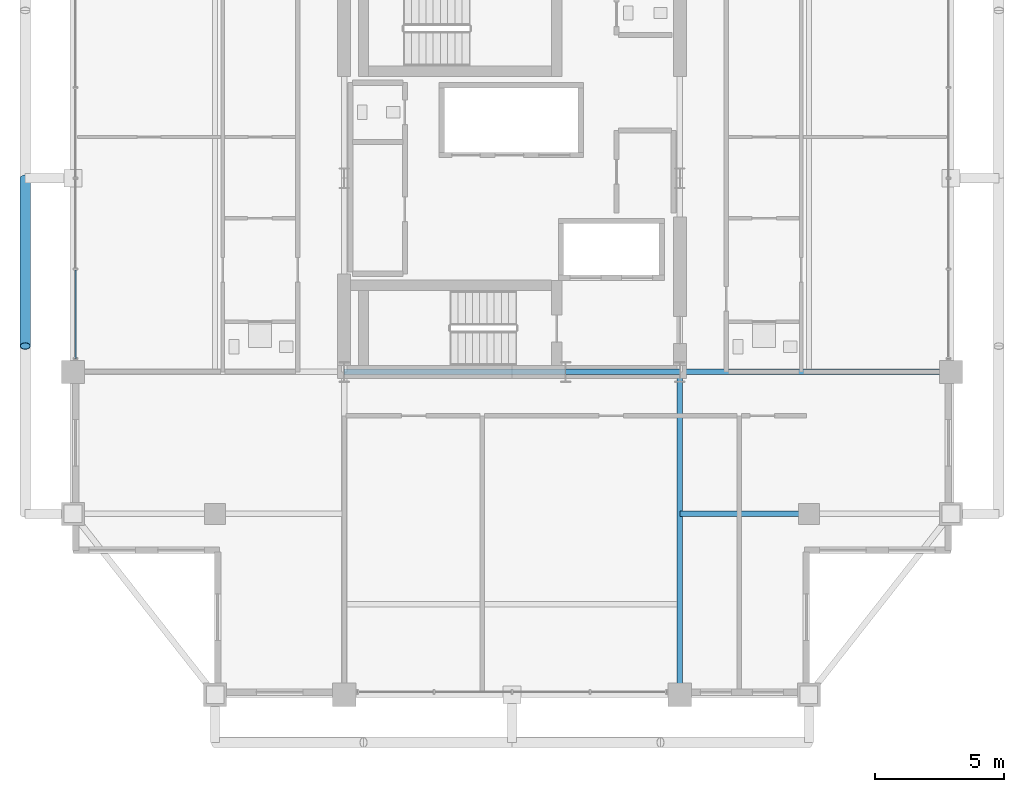
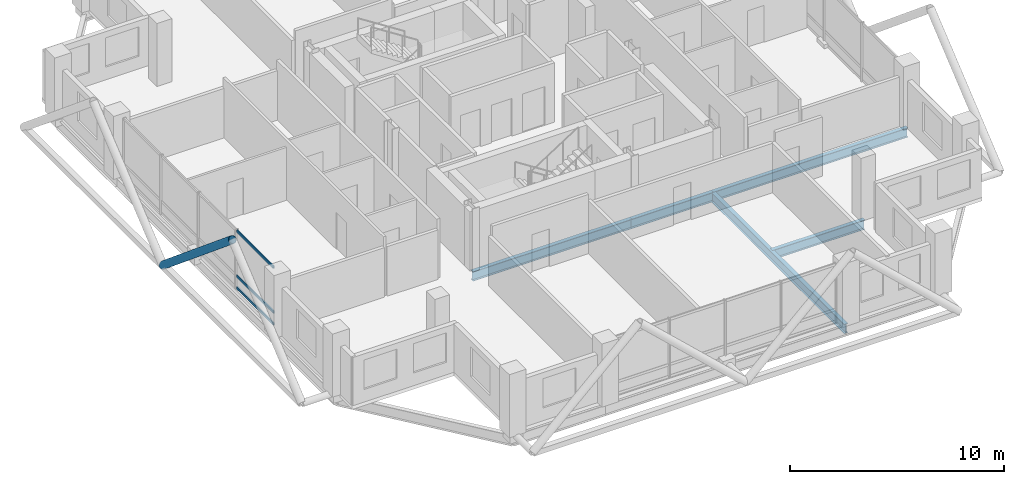
# One storey, part 7 of 24: 5 beams, 4 members, 1 element without a shape of its own.
"""IFC4 building model written with IfcOpenShell, lengths in metres."""

import ifcopenshell
import ifcopenshell.guid

model = None  # the IFC model being written
_history = None  # IfcOwnerHistory: only IFC2X3 demands one
_inside = {}  # id of a spatial element -> (the spatial element, [elements in it])
_under = {}  # id of a project, library or spatial element -> (it, [spatial elements below it])
_declared = {}  # id of a project -> (the project, [libraries it declares])
_typed = {}  # id of a type object -> (the type object, [elements of that type])
_made_of = {}  # id of a material, layer set ... -> (it, [elements and type objects made of it])


def new_model(schema):
    """Start an empty IFC model of exactly this schema.

    Asked for "IFC4X3", IfcOpenShell would pick the latest addendum, in which some entities
    have other attributes; the version numbers below select the first issue.
    IFC2X3 requires an IfcOwnerHistory on every rooted entity: one is made here for all.
    """
    global model, _history
    if schema == "IFC4X3":
        model = ifcopenshell.file(schema_version=(4, 3, 0, 0))
    else:
        model = ifcopenshell.file(schema=schema)
    _inside.clear()
    _under.clear()
    _declared.clear()
    _typed.clear()
    _made_of.clear()
    _history = None
    if model.schema == "IFC2X3":
        org = make("IfcOrganization", Name="unknown")
        user = make(
            "IfcPersonAndOrganization",
            ThePerson=make("IfcPerson", FamilyName="unknown"),
            TheOrganization=org,
        )
        app = make(
            "IfcApplication",
            ApplicationDeveloper=org,
            Version="unknown",
            ApplicationFullName="unknown",
            ApplicationIdentifier="unknown",
        )
        _history = make(
            "IfcOwnerHistory",
            OwningUser=user,
            OwningApplication=app,
            ChangeAction="ADDED",
            CreationDate=0,
        )
    return model


def make(cls, **values):
    """One entity of the class cls with the attributes given. An attribute that is None is left unset."""
    return model.create_entity(
        cls, **{name: value for name, value in values.items() if value is not None}
    )


def rooted(cls, **values):
    """An entity with a GlobalId (a new one), such as an element, a storey or a relation."""
    return make(cls, GlobalId=ifcopenshell.guid.new(), OwnerHistory=_history, **values)


def si_unit(unit_type, name, prefix=None):
    """IfcSIUnit, for example si_unit("LENGTHUNIT", "METRE", prefix="MILLI")."""
    return make("IfcSIUnit", UnitType=unit_type, Prefix=prefix, Name=name)


def assignment(units):
    """IfcUnitAssignment: the units of a project."""
    return None if units is None else make("IfcUnitAssignment", Units=units)


def point(xyz):
    """IfcCartesianPoint."""
    return None if xyz is None else make("IfcCartesianPoint", Coordinates=xyz)


def direction(xyz):
    """IfcDirection."""
    return None if xyz is None else make("IfcDirection", DirectionRatios=xyz)


def frame(location, z_axis=None, x_axis=None):
    """IfcAxis2Placement3D, a coordinate frame: its origin and axes. An axis left out is left unset."""
    return make(
        "IfcAxis2Placement3D",
        Location=point(location),
        Axis=direction(z_axis),
        RefDirection=direction(x_axis),
    )


def frame_2d(location, x_axis=None):
    """IfcAxis2Placement2D, a coordinate frame in the plane: its origin and x axis."""
    return make(
        "IfcAxis2Placement2D", Location=point(location), RefDirection=direction(x_axis)
    )


def origin():
    """The frame at (0, 0, 0) with its axes left unset."""
    return frame((0.0, 0.0, 0.0))


def origin_2d():
    """The frame at (0, 0) in the plane with its x axis left unset."""
    return frame_2d((0.0, 0.0))


def place(relative_to, where):
    """IfcLocalPlacement: puts the frame where relative to a parent placement (None: the world)."""
    return make(
        "IfcLocalPlacement", PlacementRelTo=relative_to, RelativePlacement=where
    )


def context(
    kind, dimensions, precision=None, world=None, true_north=None, identifier=None
):
    """IfcGeometricRepresentationContext, for example the 3D "Model" context."""
    return make(
        "IfcGeometricRepresentationContext",
        ContextIdentifier=identifier,
        ContextType=kind,
        CoordinateSpaceDimension=dimensions,
        Precision=precision,
        WorldCoordinateSystem=world,
        TrueNorth=true_north,
    )


def subcontext(parent, identifier, kind, view, scale=None):
    """IfcGeometricRepresentationSubContext, for example "Body" below "Model"."""
    return make(
        "IfcGeometricRepresentationSubContext",
        ContextIdentifier=identifier,
        ContextType=kind,
        ParentContext=parent,
        TargetScale=scale,
        TargetView=view,
    )


def project(units=None, contexts=None):
    """IfcProject with its units and contexts."""
    return rooted(
        "IfcProject",
        Name="project",
        RepresentationContexts=contexts,
        UnitsInContext=assignment(units),
    )


def spatial(cls, under=None, at=None, **own):
    """A site, building, storey or space (cls), placed at a placement, below another one or the project."""
    s = rooted(cls, ObjectPlacement=at, **own)
    if under is not None:
        _under.setdefault(under.id(), (under, []))[1].append(s)
    return s


def profile(cls, at=None, kind="AREA", **sizes):
    """A parametric profile (cls). Its sizes go by their IFC names, for example OverallWidth=200.0."""
    return make(cls, ProfileType=kind, Position=at, **sizes)


def hollow_rectangle(**sizes):
    """IfcRectangleHollowProfileDef."""
    return profile("IfcRectangleHollowProfileDef", **sizes)


def hollow_circle(**sizes):
    """IfcCircleHollowProfileDef."""
    return profile("IfcCircleHollowProfileDef", **sizes)


def i_section(**sizes):
    """IfcIShapeProfileDef."""
    return profile("IfcIShapeProfileDef", **sizes)


def extrude(swept, where, along, depth):
    """IfcExtrudedAreaSolid: the profile swept, set in the frame where, extruded along a direction by depth."""
    return make(
        "IfcExtrudedAreaSolid",
        SweptArea=swept,
        Position=where,
        ExtrudedDirection=direction(along),
        Depth=depth,
    )


def shape(context_of_items, identifier, shape_type, items):
    """IfcShapeRepresentation: the items that make up one representation, for example the "Body"."""
    return make(
        "IfcShapeRepresentation",
        ContextOfItems=context_of_items,
        RepresentationIdentifier=identifier,
        RepresentationType=shape_type,
        Items=items,
    )


def material(Name=None, Category=None):
    """IfcMaterial."""
    return make("IfcMaterial", Name=Name, Category=Category)


def layer(
    of_material, thickness, ventilated=None, Name=None, Category=None, Priority=None
):
    """IfcMaterialLayer: one layer of a wall or slab, of a material (None: an air gap)."""
    return make(
        "IfcMaterialLayer",
        Material=of_material,
        LayerThickness=thickness,
        IsVentilated=ventilated,
        Name=Name,
        Category=Category,
        Priority=Priority,
    )


def layer_set(layers, Name=None):
    """IfcMaterialLayerSet."""
    return make("IfcMaterialLayerSet", MaterialLayers=layers, LayerSetName=Name)


def material_profile(
    of_material, cross_section, Name=None, Category=None, Priority=None
):
    """IfcMaterialProfile: a cross section and its material."""
    return make(
        "IfcMaterialProfile",
        Name=Name,
        Material=of_material,
        Profile=cross_section,
        Priority=Priority,
        Category=Category,
    )


def profile_set(profiles, Name=None, composite=None):
    """IfcMaterialProfileSet."""
    return make(
        "IfcMaterialProfileSet",
        Name=Name,
        MaterialProfiles=profiles,
        CompositeProfile=composite,
    )


def made_of(thing, what):
    """Note that an element or type object is made of a material, layer set ...; save() writes the relation."""
    if what is not None:
        _made_of.setdefault(what.id(), (what, []))[1].append(thing)
    return thing


def type_object(cls, material=None, **own):
    """A type object (cls), such as IfcWallType, which elements share."""
    return made_of(rooted(cls, **own), material)


def element(
    cls,
    number,
    at=None,
    inside=None,
    cuts=None,
    type_object=None,
    material=None,
    context=None,
    identifier="Body",
    shape_type=None,
    held_by="IfcProductDefinitionShape",
    body=None,
    shapes=None,
    **own,
):
    """One element of the class cls, such as IfcWall. Its Tag is "e" and its number.

    at: its placement. inside: the storey or other place that contains it. cuts: it is an
    opening in that element (IfcRelVoidsElement). A single representation is given by context,
    identifier, shape_type and body (its items); several are given by shapes. held_by: the class
    of the entity that holds the representations. save() writes the other relations.
    """
    e = rooted(cls, Tag="e%d" % number, ObjectPlacement=at, **own)
    if body is not None:
        shapes = [shape(context, identifier, shape_type, body)]
    if shapes is not None:
        e.Representation = make(held_by, Representations=shapes)
    if inside is not None:
        _inside.setdefault(inside.id(), (inside, []))[1].append(e)
    if cuts is not None:
        rooted(
            "IfcRelVoidsElement", RelatingBuildingElement=cuts, RelatedOpeningElement=e
        )
    if type_object is not None:
        _typed.setdefault(type_object.id(), (type_object, []))[1].append(e)
    return made_of(e, material)


def aggregate(whole, parts):
    """IfcRelAggregates: a whole, such as a stair, and the parts it consists of."""
    return rooted("IfcRelAggregates", RelatingObject=whole, RelatedObjects=parts)


def save(model, path):
    """Write the relations noted so far, then the file.

    IfcRelAggregates (storeys below a building ...), IfcRelContainedInSpatialStructure (elements
    in a storey), IfcRelDefinesByType, IfcRelAssociatesMaterial and IfcRelDeclares: one each for
    every whole, place, type object, material and project.
    """
    for whole, parts in _under.values():
        aggregate(whole, parts)
    for where, things in _inside.values():
        rooted(
            "IfcRelContainedInSpatialStructure",
            RelatedElements=things,
            RelatingStructure=where,
        )
    for kind, things in _typed.values():
        rooted("IfcRelDefinesByType", RelatedObjects=things, RelatingType=kind)
    for what, things in _made_of.values():
        rooted("IfcRelAssociatesMaterial", RelatedObjects=things, RelatingMaterial=what)
    for by, libraries in _declared.values():
        rooted("IfcRelDeclares", RelatingContext=by, RelatedDefinitions=libraries)
    model.write(path)


model = new_model("IFC4")

# Units and contexts
model_context = context("Model", 3, precision=1e-05, world=origin(), true_north=direction((0.0, 1.0)))
body_context = subcontext(model_context, "Body", "Model", "MODEL_VIEW")
ifc_project = project(units=[si_unit("LENGTHUNIT", "METRE"), si_unit("AREAUNIT", "SQUARE_METRE"), si_unit("VOLUMEUNIT", "CUBIC_METRE"), si_unit("PLANEANGLEUNIT", "RADIAN"), si_unit("MASSUNIT", "GRAM", prefix="KILO")], contexts=[model_context])

# Site, building, storey
site_placement = place(None, origin())
site = spatial("IfcSite", under=ifc_project, at=site_placement, CompositionType="ELEMENT")
building_placement = place(site_placement, origin())
building = spatial("IfcBuilding", under=site, at=building_placement, Name="Barlavira Tower and Art Museum", CompositionType="ELEMENT")
storey_placement = place(building_placement, frame((0.0, 0.0, 294.300048828125)))
storey = spatial("IfcBuildingStorey", under=building, at=storey_placement, Name="L77", CompositionType="ELEMENT", Elevation=294.300048828125)

# Curtain wall, members
ifc_material_1 = material(Name="Low-iron coastal laminated glass", Category="glass")
ifc_layer = layer(ifc_material_1, 0.2099609375, Name="Low-iron coastal laminated glass")
ifc_layer_set = layer_set([ifc_layer], Name="Low-iron coastal laminated glass")
curtain_wall_type = type_object("IfcCurtainWallType", Name="Pale-Metal Unitised Curtain Wall Zone 4", PredefinedType="NOTDEFINED", material=ifc_layer_set)
curtain_wall_placement = place(storey_placement, origin())
curtain_wall = element("IfcCurtainWall", 1, at=curtain_wall_placement, inside=storey, type_object=curtain_wall_type, Name="L77 Curtain Wall CW4-L77-W-B3", PredefinedType="NOTDEFINED")
ifc_material_2 = material(Name="Pale anodised aluminium", Category="aluminium")
ifc_material_profile_1 = material_profile(ifc_material_2, hollow_rectangle(XDim=0.06494140625, YDim=0.139892578125, WallThickness=0.00390625, at=origin_2d()), Name="ALU-TRAN 65x140x4")
ifc_profile_set_1 = profile_set([ifc_material_profile_1], Name="Pale anodised aluminium")
member_type_1 = type_object("IfcMemberType", Name="Curtain Wall Pale-Metal Transom 65x140", PredefinedType="USERDEFINED", material=ifc_profile_set_1)
member_1_placement = place(storey_placement, frame((-16.89990234375, -3.56005859375, 0.070068359375), z_axis=(0.0, -1.0, 0.0), x_axis=(1.0, 0.0, 0.0)))
member_1 = element("IfcMember", 2, at=member_1_placement, type_object=member_type_1, Name="CW4-L77-W-B3 Transom 3.1", ObjectType="TRANSOM", PredefinedType="USERDEFINED", context=body_context, shape_type="SweptSolid", body=[
    extrude(hollow_rectangle(XDim=0.06494140625, YDim=0.139892578125, WallThickness=0.00390625, at=origin_2d()), origin(), (0.0, 0.0, 1.0), 3.425048828125),
])
member_2_placement = place(storey_placement, frame((-16.89990234375, -3.56005859375, 0.743896484375), z_axis=(0.0, -1.0, 0.0), x_axis=(1.0, 0.0, 0.0)))
member_2 = element("IfcMember", 3, at=member_2_placement, type_object=member_type_1, Name="CW4-L77-W-B3 Transom 3.2", ObjectType="TRANSOM", PredefinedType="USERDEFINED", context=body_context, shape_type="SweptSolid", body=[
    extrude(hollow_rectangle(XDim=0.06494140625, YDim=0.139892578125, WallThickness=0.00390625, at=origin_2d()), origin(), (0.0, 0.0, 1.0), 3.425048828125),
])
member_3_placement = place(storey_placement, frame((-16.89990234375, -3.56005859375, 3.31005859375), z_axis=(0.0, -1.0, 0.0), x_axis=(1.0, 0.0, 0.0)))
member_3 = element("IfcMember", 4, at=member_3_placement, type_object=member_type_1, Name="CW4-L77-W-B3 Transom 3.3", ObjectType="TRANSOM", PredefinedType="USERDEFINED", context=body_context, shape_type="SweptSolid", body=[
    extrude(hollow_rectangle(XDim=0.06494140625, YDim=0.139892578125, WallThickness=0.00390625, at=origin_2d()), origin(), (0.0, 0.0, 1.0), 3.425048828125),
])
aggregate(curtain_wall, [member_1, member_2, member_3])

# Member
ifc_material_3 = material(Name="Steel S355", Category="steel")
ifc_material_profile_2 = material_profile(ifc_material_3, hollow_circle(Radius=0.203125, WallThickness=0.01611328125, at=origin_2d()), Name="CHS 406.4x16.0")
ifc_profile_set_2 = profile_set([ifc_material_profile_2], Name="Steel S355")
member_type_2 = type_object("IfcMemberType", Name="Pale-Metal Exoskeleton Diagrid Tube CHS 406x16 Steel S355", PredefinedType="BRACE", material=ifc_profile_set_2)
member_4_placement = place(storey_placement, frame((-18.85009765625, 0.0, -0.1201171875), z_axis=(0.0, -0.76918185268, 0.639029950399), x_axis=(1.0, 0.0, 0.0)))
element("IfcMember", 5, at=member_4_placement, inside=storey, type_object=member_type_2, Name="L77 Exoskeleton Diagrid Tube W", PredefinedType="BRACE", context=body_context, shape_type="SweptSolid", body=[
    extrude(hollow_circle(Radius=0.203125, WallThickness=0.01611328125, at=origin_2d()), origin(), (0.0, 0.0, 1.0), 8.450439453125),
])

# Beams
ifc_material_profile_3 = material_profile(ifc_material_3, i_section(OverallWidth=0.2109375, OverallDepth=0.5390625, WebThickness=0.01171875, FlangeThickness=0.018798828125, at=origin_2d()), Name="W530x109.0")
ifc_profile_set_3 = profile_set([ifc_material_profile_3], Name="Steel S355")
beam_type = type_object("IfcBeamType", Name="Zone 3-4 Primary Floor Girder W530x109 Steel S355", PredefinedType="BEAM", material=ifc_profile_set_3)
beam_1_placement = place(storey_placement, frame((-6.5, -7.5, -0.489501953125), z_axis=(1.0, 0.0, 0.0), x_axis=(0.0, 1.0, 0.0)))
element("IfcBeam", 6, at=beam_1_placement, inside=storey, type_object=beam_type, Name="L77 Girder C-S1", PredefinedType="BEAM", context=body_context, shape_type="SweptSolid", body=[
    extrude(i_section(OverallWidth=0.2109375, OverallDepth=0.5390625, WebThickness=0.01171875, FlangeThickness=0.018798828125, at=origin_2d()), origin(), (0.0, 0.0, 1.0), 8.580078125),
])
beam_2_placement = place(storey_placement, frame((2.080078125, -7.5, -0.489501953125), z_axis=(1.0, 0.0, 0.0), x_axis=(0.0, 1.0, 0.0)))
element("IfcBeam", 7, at=beam_2_placement, inside=storey, type_object=beam_type, Name="L77 Girder C-S2", PredefinedType="BEAM", context=body_context, shape_type="SweptSolid", body=[
    extrude(i_section(OverallWidth=0.2109375, OverallDepth=0.5390625, WebThickness=0.01171875, FlangeThickness=0.018798828125, at=origin_2d()), origin(), (0.0, 0.0, 1.0), 4.419921875),
])
beam_3_placement = place(storey_placement, frame((6.5, -20.0, -0.489501953125), z_axis=(0.0, 1.0, 0.0), x_axis=(-1.0, 0.0, 0.0)))
element("IfcBeam", 8, at=beam_3_placement, inside=storey, type_object=beam_type, Name="L77 Girder R-S2", PredefinedType="BEAM", context=body_context, shape_type="SweptSolid", body=[
    extrude(i_section(OverallWidth=0.2109375, OverallDepth=0.5390625, WebThickness=0.01171875, FlangeThickness=0.018798828125, at=origin_2d()), origin(), (0.0, 0.0, 1.0), 12.5),
])
beam_4_placement = place(storey_placement, frame((6.5, -7.5, -0.489501953125), z_axis=(1.0, 0.0, 0.0), x_axis=(0.0, 1.0, 0.0)))
element("IfcBeam", 9, at=beam_4_placement, inside=storey, type_object=beam_type, Name="L77 Girder R-E1", PredefinedType="BEAM", context=body_context, shape_type="SweptSolid", body=[
    extrude(i_section(OverallWidth=0.2109375, OverallDepth=0.5390625, WebThickness=0.01171875, FlangeThickness=0.018798828125, at=origin_2d()), origin(), (0.0, 0.0, 1.0), 10.5),
])
beam_5_placement = place(storey_placement, frame((6.5, -13.0, -0.489501953125), z_axis=(1.0, 0.0, 0.0), x_axis=(0.0, 1.0, 0.0)))
element("IfcBeam", 10, at=beam_5_placement, inside=storey, type_object=beam_type, Name="L77 Girder I-S3", PredefinedType="BEAM", context=body_context, shape_type="SweptSolid", body=[
    extrude(i_section(OverallWidth=0.2109375, OverallDepth=0.5390625, WebThickness=0.01171875, FlangeThickness=0.018798828125, at=origin_2d()), origin(), (0.0, 0.0, 1.0), 5.0),
])

save(model, "model.ifc")
